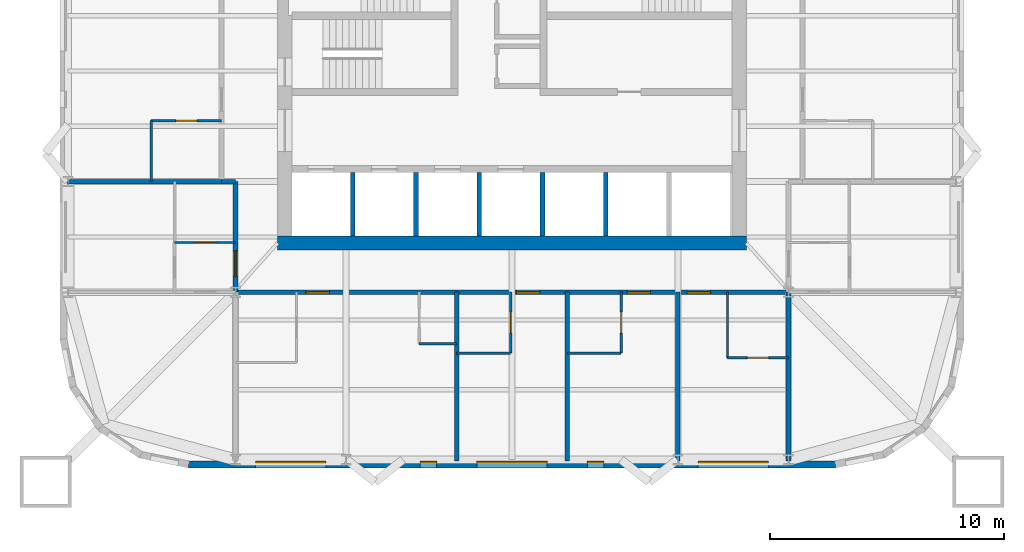
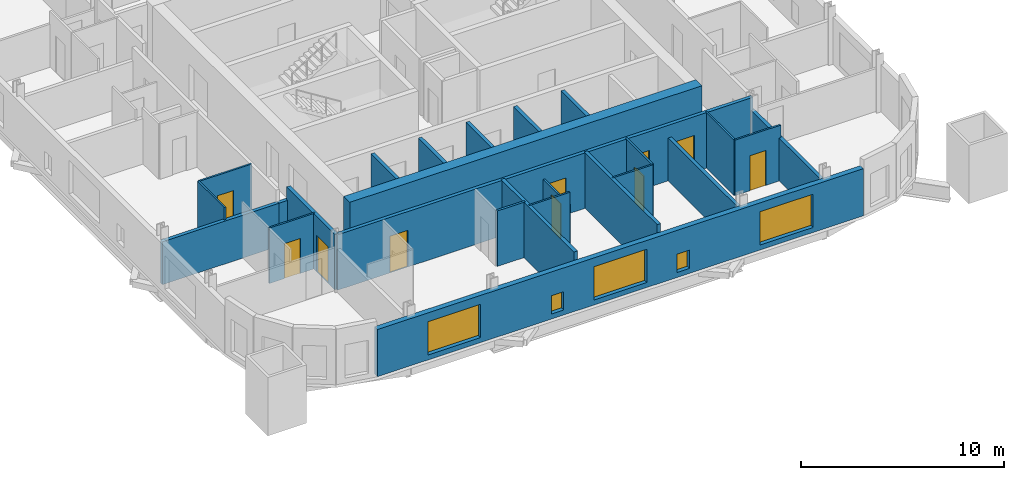
# One storey, part 3 of 9: 25 walls, 10 doors, 5 windows, 15 openings.
"""IFC4 building model written with IfcOpenShell, lengths in metres."""

from ifc_helpers import new_model, si_unit, direction, frame, frame_2d, origin, place, context, subcontext, project, spatial, rectangle, extrude, material, layer, layer_set, type_object, element, fill, save


model = new_model("IFC4")

# Units and contexts
model_context = context("Model", 3, precision=1e-05, world=origin(), true_north=direction((0.0, 1.0)))
body_context = subcontext(model_context, "Body", "Model", "MODEL_VIEW")
ifc_project = project(units=[si_unit("LENGTHUNIT", "METRE"), si_unit("AREAUNIT", "SQUARE_METRE"), si_unit("VOLUMEUNIT", "CUBIC_METRE"), si_unit("PLANEANGLEUNIT", "RADIAN"), si_unit("MASSUNIT", "GRAM", prefix="KILO")], contexts=[model_context])

# Site, building, storey
site_placement = place(None, origin())
site = spatial("IfcSite", under=ifc_project, at=site_placement, CompositionType="ELEMENT")
building_placement = place(site_placement, origin())
building = spatial("IfcBuilding", under=site, at=building_placement, Name="Turquesa Mirador Hotel Tower", CompositionType="ELEMENT")
storey_placement = place(building_placement, frame((0.0, 0.0, 182.800048828125)))
storey = spatial("IfcBuildingStorey", under=building, at=storey_placement, Name="L49", CompositionType="ELEMENT", Elevation=182.800048828125)

# Walls
ifc_material_1 = material(Name="Gypsum board on steel studs", Category="steel")
ifc_layer_1 = layer(ifc_material_1, 0.10009765625)
ifc_layer_set_1 = layer_set([ifc_layer_1], Name="BATHROOM WALL 100")
wall_type_1 = type_object("IfcWallType", Name="BATHROOM WALL 100", PredefinedType="PARTITIONING", material=ifc_layer_set_1)
wall_1_placement = place(storey_placement, frame((52.639892578125, 30.60009765625, 0.0), z_axis=(0.0, 0.0, 1.0), x_axis=(1.0, 0.0, 0.0)))
element("IfcWall", 1, at=wall_1_placement, inside=storey, type_object=wall_type_1, Name="Partition L49 005", PredefinedType="PARTITIONING", context=body_context, shape_type="SweptSolid", body=[
    extrude(rectangle(XDim=2.300048828125, YDim=0.10009765625, at=frame_2d((1.14990234375, 0.0))), origin(), (0.0, 0.0, 1.0), 3.329833984375),
])
wall_2_placement = place(storey_placement, frame((57.360107421875, 30.60009765625, 0.0), z_axis=(0.0, 0.0, 1.0), x_axis=(1.0, 0.0, 0.0)))
element("IfcWall", 2, at=wall_2_placement, inside=storey, type_object=wall_type_1, Name="Partition L49 006", PredefinedType="PARTITIONING", context=body_context, shape_type="SweptSolid", body=[
    extrude(rectangle(XDim=2.2998046875, YDim=0.10009765625, at=frame_2d((1.14990234375, 0.0))), origin(), (0.0, 0.0, 1.0), 3.329833984375),
])

# Wall, opening, door
wall_3_placement = place(storey_placement, frame((64.199951171875, 30.39990234375, 0.0), z_axis=(0.0, 0.0, 1.0), x_axis=(1.0, 0.0, 0.0)))
wall_3 = element("IfcWall", 3, at=wall_3_placement, inside=storey, type_object=wall_type_1, Name="Partition L49 007", PredefinedType="PARTITIONING", context=body_context, shape_type="SweptSolid", body=[
    extrude(rectangle(XDim=2.60009765625, YDim=0.10009765625, at=frame_2d((1.300048828125, 0.0))), origin(), (0.0, 0.0, 1.0), 3.329833984375),
])
opening_1_placement = place(wall_3_placement, frame((0.85009765625, 0.0, 0.0)))
opening_1 = element("IfcOpeningElement", 4, at=opening_1_placement, cuts=wall_3, Name="Opening D02", PredefinedType="OPENING", context=body_context, shape_type="SweptSolid", body=[
    extrude(rectangle(XDim=0.89990234375, YDim=2.10009765625, at=frame_2d((0.449951171875, 1.050048828125))), frame((0.0, 0.06005859375, 0.0), z_axis=(0.0, -1.0, 0.0), x_axis=(1.0, 0.0, 0.0)), (0.0, 0.0, 1.0), 0.1201171875),
])
ifc_material_2 = material(Name="Timber veneered door", Category="wood")
door_type_1 = type_object("IfcDoorType", Name="DOOR 900X2100 EN-SUITE", OperationType="SINGLE_SWING_RIGHT", PredefinedType="DOOR", material=ifc_material_2)
door_1_placement = place(opening_1_placement, origin())
door_1 = element("IfcDoor", 5, at=door_1_placement, inside=storey, type_object=door_type_1, Name="Door 4909B", OperationType="SINGLE_SWING_RIGHT", OverallHeight=2.10009765625, OverallWidth=0.89990234375, PredefinedType="DOOR", context=body_context, shape_type="SweptSolid", body=[
    extrude(rectangle(XDim=0.89990234375, YDim=2.10009765625, at=frame_2d((0.449951171875, 1.050048828125))), frame((0.0, 0.02490234375, 0.0), z_axis=(0.0, -1.0, 0.0), x_axis=(1.0, 0.0, 0.0)), (0.0, 0.0, 1.0), 0.050048828125),
])
fill(opening_1, door_1)

wall_4_placement = place(storey_placement, frame((39.60009765625, 40.52001953125, 0.0), z_axis=(0.0, 0.0, 1.0), x_axis=(1.0, 0.0, 0.0)))
wall_4 = element("IfcWall", 6, at=wall_4_placement, inside=storey, type_object=wall_type_1, Name="Partition L49 009", PredefinedType="PARTITIONING", context=body_context, shape_type="SweptSolid", body=[
    extrude(rectangle(XDim=3.0, YDim=0.10009765625, at=frame_2d((1.5, 0.0))), origin(), (0.0, 0.0, 1.0), 3.329833984375),
])
opening_2_placement = place(wall_4_placement, frame((1.050048828125, 0.0, 0.0)))
opening_2 = element("IfcOpeningElement", 7, at=opening_2_placement, cuts=wall_4, Name="Opening D02", PredefinedType="OPENING", context=body_context, shape_type="SweptSolid", body=[
    extrude(rectangle(XDim=0.89990234375, YDim=2.10009765625, at=frame_2d((0.449951171875, 1.050048828125))), frame((0.0, 0.06005859375, 0.0), z_axis=(0.0, -1.0, 0.0), x_axis=(1.0, 0.0, 0.0)), (0.0, 0.0, 1.0), 0.1201171875),
])
door_2_placement = place(opening_2_placement, origin())
door_2 = element("IfcDoor", 8, at=door_2_placement, inside=storey, type_object=door_type_1, Name="Door 4912B", OperationType="SINGLE_SWING_RIGHT", OverallHeight=2.10009765625, OverallWidth=0.89990234375, PredefinedType="DOOR", context=body_context, shape_type="SweptSolid", body=[
    extrude(rectangle(XDim=0.89990234375, YDim=2.10009765625, at=frame_2d((0.449951171875, 1.050048828125))), frame((0.0, 0.02490234375, 0.0), z_axis=(0.0, -1.0, 0.0), x_axis=(1.0, 0.0, 0.0)), (0.0, 0.0, 1.0), 0.050048828125),
])
fill(opening_2, door_2)

wall_5_placement = place(storey_placement, frame((40.60009765625, 35.320068359375, 0.0), z_axis=(0.0, 0.0, 1.0), x_axis=(1.0, 0.0, 0.0)))
wall_5 = element("IfcWall", 9, at=wall_5_placement, inside=storey, type_object=wall_type_1, Name="Partition L49 015", PredefinedType="PARTITIONING", context=body_context, shape_type="SweptSolid", body=[
    extrude(rectangle(XDim=2.599853515625, YDim=0.10009765625, at=frame_2d((1.2998046875, 0.0))), origin(), (0.0, 0.0, 1.0), 3.329833984375),
])
opening_3_placement = place(wall_5_placement, frame((0.85009765625, 0.0, 0.0)))
opening_3 = element("IfcOpeningElement", 10, at=opening_3_placement, cuts=wall_5, Name="Opening D02", PredefinedType="OPENING", context=body_context, shape_type="SweptSolid", body=[
    extrude(rectangle(XDim=0.89990234375, YDim=2.10009765625, at=frame_2d((0.449951171875, 1.050048828125))), frame((0.0, 0.06005859375, 0.0), z_axis=(0.0, -1.0, 0.0), x_axis=(1.0, 0.0, 0.0)), (0.0, 0.0, 1.0), 0.1201171875),
])
door_3_placement = place(opening_3_placement, origin())
door_3 = element("IfcDoor", 11, at=door_3_placement, inside=storey, type_object=door_type_1, Name="Door 4916B", OperationType="SINGLE_SWING_RIGHT", OverallHeight=2.10009765625, OverallWidth=0.89990234375, PredefinedType="DOOR", context=body_context, shape_type="SweptSolid", body=[
    extrude(rectangle(XDim=0.89990234375, YDim=2.10009765625, at=frame_2d((0.449951171875, 1.050048828125))), frame((0.0, 0.02490234375, 0.0), z_axis=(0.0, -1.0, 0.0), x_axis=(1.0, 0.0, 0.0)), (0.0, 0.0, 1.0), 0.050048828125),
])
fill(opening_3, door_3)

wall_6_placement = place(storey_placement, frame((54.93994140625, 30.60009765625, 0.0), z_axis=(0.0, 0.0, 1.0), x_axis=(0.0, 1.0, 0.0)))
wall_6 = element("IfcWall", 12, at=wall_6_placement, inside=storey, type_object=wall_type_1, Name="Partition L49 041", PredefinedType="PARTITIONING", context=body_context, shape_type="SweptSolid", body=[
    extrude(rectangle(XDim=2.599853515625, YDim=0.10009765625, at=frame_2d((1.2998046875, 0.0))), origin(), (0.0, 0.0, 1.0), 2.572998046875),
])
opening_4_placement = place(wall_6_placement, frame((0.85009765625, 0.0, 0.0)))
opening_4 = element("IfcOpeningElement", 13, at=opening_4_placement, cuts=wall_6, Name="Opening D02", PredefinedType="OPENING", context=body_context, shape_type="SweptSolid", body=[
    extrude(rectangle(XDim=0.89990234375, YDim=2.10009765625, at=frame_2d((0.449951171875, 1.050048828125))), frame((0.0, 0.06005859375, 0.0), z_axis=(0.0, -1.0, 0.0), x_axis=(1.0, 0.0, 0.0)), (0.0, 0.0, 1.0), 0.1201171875),
])
door_4_placement = place(opening_4_placement, origin())
door_4 = element("IfcDoor", 14, at=door_4_placement, inside=storey, type_object=door_type_1, Name="Door 4907B", OperationType="SINGLE_SWING_RIGHT", OverallHeight=2.10009765625, OverallWidth=0.89990234375, PredefinedType="DOOR", context=body_context, shape_type="SweptSolid", body=[
    extrude(rectangle(XDim=0.89990234375, YDim=2.10009765625, at=frame_2d((0.449951171875, 1.050048828125))), frame((0.0, 0.02490234375, 0.0), z_axis=(0.0, -1.0, 0.0), x_axis=(1.0, 0.0, 0.0)), (0.0, 0.0, 1.0), 0.050048828125),
])
fill(opening_4, door_4)

# Wall
wall_7_placement = place(storey_placement, frame((39.60009765625, 37.919921875, 0.0), z_axis=(0.0, 0.0, 1.0), x_axis=(0.0, 1.0, 0.0)))
element("IfcWall", 15, at=wall_7_placement, inside=storey, type_object=wall_type_1, Name="Partition L49 055", PredefinedType="PARTITIONING", context=body_context, shape_type="SweptSolid", body=[
    extrude(rectangle(XDim=2.60009765625, YDim=0.10009765625, at=frame_2d((1.300048828125, 0.0))), origin(), (0.0, 0.0, 1.0), 3.329833984375),
])

# Wall, opening, door
wall_8_placement = place(storey_placement, frame((59.659912109375, 30.60009765625, 0.0), z_axis=(0.0, 0.0, 1.0), x_axis=(0.0, 1.0, 0.0)))
wall_8 = element("IfcWall", 16, at=wall_8_placement, inside=storey, type_object=wall_type_1, Name="Partition L49 078", PredefinedType="PARTITIONING", context=body_context, shape_type="SweptSolid", body=[
    extrude(rectangle(XDim=2.599853515625, YDim=0.10009765625, at=frame_2d((1.2998046875, 0.0))), origin(), (0.0, 0.0, 1.0), 3.329833984375),
])
opening_5_placement = place(wall_8_placement, frame((0.85009765625, 0.0, 0.0)))
opening_5 = element("IfcOpeningElement", 17, at=opening_5_placement, cuts=wall_8, Name="Opening D02", PredefinedType="OPENING", context=body_context, shape_type="SweptSolid", body=[
    extrude(rectangle(XDim=0.89990234375, YDim=2.10009765625, at=frame_2d((0.449951171875, 1.050048828125))), frame((0.0, 0.06005859375, 0.0), z_axis=(0.0, -1.0, 0.0), x_axis=(1.0, 0.0, 0.0)), (0.0, 0.0, 1.0), 0.1201171875),
])
door_5_placement = place(opening_5_placement, origin())
door_5 = element("IfcDoor", 18, at=door_5_placement, inside=storey, type_object=door_type_1, Name="Door 4908B", OperationType="SINGLE_SWING_RIGHT", OverallHeight=2.10009765625, OverallWidth=0.89990234375, PredefinedType="DOOR", context=body_context, shape_type="SweptSolid", body=[
    extrude(rectangle(XDim=0.89990234375, YDim=2.10009765625, at=frame_2d((0.449951171875, 1.050048828125))), frame((0.0, 0.02490234375, 0.0), z_axis=(0.0, -1.0, 0.0), x_axis=(1.0, 0.0, 0.0)), (0.0, 0.0, 1.0), 0.050048828125),
])
fill(opening_5, door_5)

# Walls
wall_9_placement = place(storey_placement, frame((64.199951171875, 30.39990234375, 0.0), z_axis=(0.0, 0.0, 1.0), x_axis=(0.0, 1.0, 0.0)))
element("IfcWall", 19, at=wall_9_placement, inside=storey, type_object=wall_type_1, Name="Partition L49 083", PredefinedType="PARTITIONING", context=body_context, shape_type="SweptSolid", body=[
    extrude(rectangle(XDim=2.800048828125, YDim=0.10009765625, at=frame_2d((1.39990234375, 0.0))), origin(), (0.0, 0.0, 1.0), 3.329833984375),
])
ifc_material_3 = material(Name="Concrete C50/60", Category="concrete")
ifc_layer_2 = layer(ifc_material_3, 0.60009765625)
ifc_layer_set_2 = layer_set([ifc_layer_2], Name="CORE WALL 600")
wall_type_2 = type_object("IfcWallType", Name="CORE WALL 600", PredefinedType="SHEAR", material=ifc_layer_set_2)
wall_10_placement = place(storey_placement, frame((45.0, 35.300048828125, 0.0), z_axis=(0.0, 0.0, 1.0), x_axis=(1.0, 0.0, 0.0)))
element("IfcWall", 20, at=wall_10_placement, inside=storey, type_object=wall_type_2, Name="Core wall S", PredefinedType="SHEAR", context=body_context, shape_type="SweptSolid", body=[
    extrude(rectangle(XDim=20.0, YDim=0.60009765625, at=frame_2d((10.0, 0.0))), origin(), (0.0, 0.0, 1.0), 3.5),
])

# Wall, openings, doors
ifc_material_4 = material(Name="Fire-rated gypsum board on steel studs", Category="steel")
ifc_layer_3 = layer(ifc_material_4, 0.199951171875)
ifc_layer_set_3 = layer_set([ifc_layer_3], Name="CORRIDOR WALL 200")
wall_type_3 = type_object("IfcWallType", Name="CORRIDOR WALL 200", PredefinedType="PARTITIONING", material=ifc_layer_set_3)
wall_11_placement = place(storey_placement, frame((43.199951171875, 33.199951171875, 0.0), z_axis=(0.0, 0.0, 1.0), x_axis=(1.0, 0.0, 0.0)))
wall_11 = element("IfcWall", 21, at=wall_11_placement, inside=storey, type_object=wall_type_3, Name="Partition L49 001", PredefinedType="PARTITIONING", context=body_context, shape_type="SweptSolid", body=[
    extrude(rectangle(XDim=23.60009765625, YDim=0.199951171875, at=frame_2d((11.800048828125, 0.0))), origin(), (0.0, 0.0, 1.0), 3.329833984375),
])
opening_6_placement = place(wall_11_placement, frame((3.0, 0.0, 0.0)))
opening_6 = element("IfcOpeningElement", 22, at=opening_6_placement, cuts=wall_11, Name="Opening D01", PredefinedType="OPENING", context=body_context, shape_type="SweptSolid", body=[
    extrude(rectangle(XDim=1.0, YDim=2.199951171875, at=frame_2d((0.5, 1.10009765625))), frame((0.0, 0.10986328125, 0.0), z_axis=(0.0, -1.0, 0.0), x_axis=(1.0, 0.0, 0.0)), (0.0, 0.0, 1.0), 0.219970703125),
])
opening_7_placement = place(wall_11_placement, frame((11.989990234375, 0.0, 0.0)))
opening_7 = element("IfcOpeningElement", 23, at=opening_7_placement, cuts=wall_11, Name="Opening D01", PredefinedType="OPENING", context=body_context, shape_type="SweptSolid", body=[
    extrude(rectangle(XDim=1.0, YDim=2.199951171875, at=frame_2d((0.5, 1.10009765625))), frame((0.0, 0.10986328125, 0.0), z_axis=(0.0, -1.0, 0.0), x_axis=(1.0, 0.0, 0.0)), (0.0, 0.0, 1.0), 0.219970703125),
])
opening_8_placement = place(wall_11_placement, frame((16.7099609375, 0.0, 0.0)))
opening_8 = element("IfcOpeningElement", 24, at=opening_8_placement, cuts=wall_11, Name="Opening D01", PredefinedType="OPENING", context=body_context, shape_type="SweptSolid", body=[
    extrude(rectangle(XDim=1.0, YDim=2.199951171875, at=frame_2d((0.5, 1.10009765625))), frame((0.0, 0.10986328125, 0.0), z_axis=(0.0, -1.0, 0.0), x_axis=(1.0, 0.0, 0.0)), (0.0, 0.0, 1.0), 0.219970703125),
])
opening_9_placement = place(wall_11_placement, frame((19.280029296875, 0.0, 0.0)))
opening_9 = element("IfcOpeningElement", 25, at=opening_9_placement, cuts=wall_11, Name="Opening D01", PredefinedType="OPENING", context=body_context, shape_type="SweptSolid", body=[
    extrude(rectangle(XDim=1.0, YDim=2.199951171875, at=frame_2d((0.5, 1.10009765625))), frame((0.0, 0.10986328125, 0.0), z_axis=(0.0, -1.0, 0.0), x_axis=(1.0, 0.0, 0.0)), (0.0, 0.0, 1.0), 0.219970703125),
])
ifc_material_5 = material(Name="Timber veneered fire door", Category="wood")
door_type_2 = type_object("IfcDoorType", Name="DOOR 1000X2200 GUEST ENTRY", OperationType="SINGLE_SWING_LEFT", PredefinedType="DOOR", material=ifc_material_5)
door_6_placement = place(opening_6_placement, origin())
door_6 = element("IfcDoor", 26, at=door_6_placement, inside=storey, type_object=door_type_2, Name="Door 4906", OperationType="SINGLE_SWING_LEFT", OverallHeight=2.199951171875, OverallWidth=1.0, PredefinedType="DOOR", context=body_context, shape_type="SweptSolid", body=[
    extrude(rectangle(XDim=1.0, YDim=2.199951171875, at=frame_2d((0.5, 1.10009765625))), frame((0.0, 0.02490234375, 0.0), z_axis=(0.0, -1.0, 0.0), x_axis=(1.0, 0.0, 0.0)), (0.0, 0.0, 1.0), 0.050048828125),
])
fill(opening_6, door_6)
door_7_placement = place(opening_7_placement, origin())
door_7 = element("IfcDoor", 27, at=door_7_placement, inside=storey, type_object=door_type_2, Name="Door 4907", OperationType="SINGLE_SWING_LEFT", OverallHeight=2.199951171875, OverallWidth=1.0, PredefinedType="DOOR", context=body_context, shape_type="SweptSolid", body=[
    extrude(rectangle(XDim=1.0, YDim=2.199951171875, at=frame_2d((0.5, 1.10009765625))), frame((0.0, 0.02490234375, 0.0), z_axis=(0.0, -1.0, 0.0), x_axis=(1.0, 0.0, 0.0)), (0.0, 0.0, 1.0), 0.050048828125),
])
fill(opening_7, door_7)
door_8_placement = place(opening_8_placement, origin())
door_8 = element("IfcDoor", 28, at=door_8_placement, inside=storey, type_object=door_type_2, Name="Door 4908", OperationType="SINGLE_SWING_LEFT", OverallHeight=2.199951171875, OverallWidth=1.0, PredefinedType="DOOR", context=body_context, shape_type="SweptSolid", body=[
    extrude(rectangle(XDim=1.0, YDim=2.199951171875, at=frame_2d((0.5, 1.10009765625))), frame((0.0, 0.02490234375, 0.0), z_axis=(0.0, -1.0, 0.0), x_axis=(1.0, 0.0, 0.0)), (0.0, 0.0, 1.0), 0.050048828125),
])
fill(opening_8, door_8)
door_9_placement = place(opening_9_placement, origin())
door_9 = element("IfcDoor", 29, at=door_9_placement, inside=storey, type_object=door_type_2, Name="Door 4909", OperationType="SINGLE_SWING_LEFT", OverallHeight=2.199951171875, OverallWidth=1.0, PredefinedType="DOOR", context=body_context, shape_type="SweptSolid", body=[
    extrude(rectangle(XDim=1.0, YDim=2.199951171875, at=frame_2d((0.5, 1.10009765625))), frame((0.0, 0.02490234375, 0.0), z_axis=(0.0, -1.0, 0.0), x_axis=(1.0, 0.0, 0.0)), (0.0, 0.0, 1.0), 0.050048828125),
])
fill(opening_9, door_9)

# Wall
wall_12_placement = place(storey_placement, frame((42.60009765625, 37.919921875, 0.0), z_axis=(0.0, 0.0, 1.0), x_axis=(1.0, 0.0, 0.0)))
element("IfcWall", 30, at=wall_12_placement, inside=storey, type_object=wall_type_3, Name="Partition L49 011", PredefinedType="PARTITIONING", context=body_context, shape_type="SweptSolid", body=[
    extrude(rectangle(XDim=0.599853515625, YDim=0.199951171875, at=frame_2d((0.2998046875, 0.0))), origin(), (0.0, 0.0, 1.0), 2.572998046875),
])

# Wall, opening, door
wall_13_placement = place(storey_placement, frame((43.199951171875, 33.199951171875, 0.0), z_axis=(0.0, 0.0, 1.0), x_axis=(0.0, 1.0, 0.0)))
wall_13 = element("IfcWall", 31, at=wall_13_placement, inside=storey, type_object=wall_type_3, Name="Partition L49 044", PredefinedType="PARTITIONING", context=body_context, shape_type="SweptSolid", body=[
    extrude(rectangle(XDim=4.719970703125, YDim=0.199951171875, at=frame_2d((2.35986328125, 0.0))), origin(), (0.0, 0.0, 1.0), 3.329833984375),
])
opening_10_placement = place(wall_13_placement, frame((0.659912109375, 0.0, 0.0)))
opening_10 = element("IfcOpeningElement", 32, at=opening_10_placement, cuts=wall_13, Name="Opening D15", PredefinedType="OPENING", context=body_context, shape_type="SweptSolid", body=[
    extrude(rectangle(XDim=1.10009765625, YDim=2.199951171875, at=frame_2d((0.550048828125, 1.10009765625))), frame((0.0, 0.10986328125, 0.0), z_axis=(0.0, -1.0, 0.0), x_axis=(1.0, 0.0, 0.0)), (0.0, 0.0, 1.0), 0.219970703125),
])
ifc_material_6 = material(Name="Timber veneered fire door", Category="wood")
door_type_3 = type_object("IfcDoorType", Name="DOOR 1100X2200 SUITE ENTRY", OperationType="SINGLE_SWING_LEFT", PredefinedType="DOOR", material=ifc_material_6)
door_10_placement = place(opening_10_placement, origin())
door_10 = element("IfcDoor", 33, at=door_10_placement, inside=storey, type_object=door_type_3, Name="Door 4916H", OperationType="SINGLE_SWING_LEFT", OverallHeight=2.199951171875, OverallWidth=1.10009765625, PredefinedType="DOOR", context=body_context, shape_type="SweptSolid", body=[
    extrude(rectangle(XDim=1.10009765625, YDim=2.199951171875, at=frame_2d((0.550048828125, 1.10009765625))), frame((0.0, 0.02490234375, 0.0), z_axis=(0.0, -1.0, 0.0), x_axis=(1.0, 0.0, 0.0)), (0.0, 0.0, 1.0), 0.050048828125),
])
fill(opening_10, door_10)

# Wall, openings, windows
ifc_material_7 = material(Name="Limestone cladding on concrete block", Category="masonry")
ifc_layer_4 = layer(ifc_material_7, 0.300048828125)
ifc_layer_set_4 = layer_set([ifc_layer_4], Name="FACADE WALL 300 STONE SCREEN")
wall_type_4 = type_object("IfcWallType", Name="FACADE WALL 300 STONE SCREEN", PredefinedType="SOLIDWALL", material=ifc_layer_set_4)
wall_14_placement = place(storey_placement, frame((41.199951171875, 25.85009765625, 0.0), z_axis=(0.0, 0.0, 1.0), x_axis=(1.0, 0.0, 0.0)))
wall_14 = element("IfcWall", 34, at=wall_14_placement, inside=storey, type_object=wall_type_4, Name="Facade wall L49 19", PredefinedType="SOLIDWALL", context=body_context, shape_type="SweptSolid", body=[
    extrude(rectangle(XDim=27.60009765625, YDim=0.300048828125, at=frame_2d((13.800048828125, 0.0))), origin(), (0.0, 0.0, 1.0), 2.829833984375),
])
opening_11_placement = place(wall_14_placement, frame((2.860107421875, 0.0, 0.300048828125)))
opening_11 = element("IfcOpeningElement", 35, at=opening_11_placement, cuts=wall_14, Name="Opening WN1", PredefinedType="OPENING", context=body_context, shape_type="SweptSolid", body=[
    extrude(rectangle(XDim=3.0, YDim=2.0, at=frame_2d((1.5, 1.0))), frame((0.0, 0.159912109375, 0.0), z_axis=(0.0, -1.0, 0.0), x_axis=(1.0, 0.0, 0.0)), (0.0, 0.0, 1.0), 0.320068359375),
])
opening_12_placement = place(wall_14_placement, frame((9.8798828125, 0.0, 0.300048828125)))
opening_12 = element("IfcOpeningElement", 36, at=opening_12_placement, cuts=wall_14, Name="Opening WN33", PredefinedType="OPENING", context=body_context, shape_type="SweptSolid", body=[
    extrude(rectangle(XDim=0.699951171875, YDim=1.10009765625, at=frame_2d((0.35009765625, 0.550048828125))), frame((0.0, 0.159912109375, 0.0), z_axis=(0.0, -1.0, 0.0), x_axis=(1.0, 0.0, 0.0)), (0.0, 0.0, 1.0), 0.320068359375),
])
opening_13_placement = place(wall_14_placement, frame((12.300048828125, 0.0, 0.300048828125)))
opening_13 = element("IfcOpeningElement", 37, at=opening_13_placement, cuts=wall_14, Name="Opening WN1", PredefinedType="OPENING", context=body_context, shape_type="SweptSolid", body=[
    extrude(rectangle(XDim=3.0, YDim=2.0, at=frame_2d((1.5, 1.0))), frame((0.0, 0.159912109375, 0.0), z_axis=(0.0, -1.0, 0.0), x_axis=(1.0, 0.0, 0.0)), (0.0, 0.0, 1.0), 0.320068359375),
])
opening_14_placement = place(wall_14_placement, frame((17.02001953125, 0.0, 0.300048828125)))
opening_14 = element("IfcOpeningElement", 38, at=opening_14_placement, cuts=wall_14, Name="Opening WN33", PredefinedType="OPENING", context=body_context, shape_type="SweptSolid", body=[
    extrude(rectangle(XDim=0.699951171875, YDim=1.10009765625, at=frame_2d((0.35009765625, 0.550048828125))), frame((0.0, 0.159912109375, 0.0), z_axis=(0.0, -1.0, 0.0), x_axis=(1.0, 0.0, 0.0)), (0.0, 0.0, 1.0), 0.320068359375),
])
opening_15_placement = place(wall_14_placement, frame((21.739990234375, 0.0, 0.300048828125)))
opening_15 = element("IfcOpeningElement", 39, at=opening_15_placement, cuts=wall_14, Name="Opening WN1", PredefinedType="OPENING", context=body_context, shape_type="SweptSolid", body=[
    extrude(rectangle(XDim=3.0, YDim=2.0, at=frame_2d((1.5, 1.0))), frame((0.0, 0.159912109375, 0.0), z_axis=(0.0, -1.0, 0.0), x_axis=(1.0, 0.0, 0.0)), (0.0, 0.0, 1.0), 0.320068359375),
])
ifc_material_8 = material(Name="Ceramic-fritted laminated glass", Category="glass")
window_type_1 = type_object("IfcWindowType", Name="FRITTED WINDOW 3000X2000", PartitioningType="DOUBLE_PANEL_HORIZONTAL", PredefinedType="WINDOW", material=ifc_material_8)
window_1_placement = place(opening_11_placement, origin())
window_1 = element("IfcWindow", 40, at=window_1_placement, inside=storey, type_object=window_type_1, Name="Window L49", OverallHeight=2.0, OverallWidth=3.0, PartitioningType="SINGLE_PANEL", PredefinedType="WINDOW", context=body_context, shape_type="SweptSolid", body=[
    extrude(rectangle(XDim=3.0, YDim=2.0, at=frame_2d((1.5, 1.0))), frame((0.0, 0.130126953125, 0.0), z_axis=(0.0, -1.0, 0.0), x_axis=(1.0, 0.0, 0.0)), (0.0, 0.0, 1.0), 0.06005859375),
])
fill(opening_11, window_1)
window_2_placement = place(opening_13_placement, origin())
window_2 = element("IfcWindow", 41, at=window_2_placement, inside=storey, type_object=window_type_1, Name="Window L49", OverallHeight=2.0, OverallWidth=3.0, PartitioningType="SINGLE_PANEL", PredefinedType="WINDOW", context=body_context, shape_type="SweptSolid", body=[
    extrude(rectangle(XDim=3.0, YDim=2.0, at=frame_2d((1.5, 1.0))), frame((0.0, 0.130126953125, 0.0), z_axis=(0.0, -1.0, 0.0), x_axis=(1.0, 0.0, 0.0)), (0.0, 0.0, 1.0), 0.06005859375),
])
fill(opening_13, window_2)
window_3_placement = place(opening_15_placement, origin())
window_3 = element("IfcWindow", 42, at=window_3_placement, inside=storey, type_object=window_type_1, Name="Window L49", OverallHeight=2.0, OverallWidth=3.0, PartitioningType="SINGLE_PANEL", PredefinedType="WINDOW", context=body_context, shape_type="SweptSolid", body=[
    extrude(rectangle(XDim=3.0, YDim=2.0, at=frame_2d((1.5, 1.0))), frame((0.0, 0.130126953125, 0.0), z_axis=(0.0, -1.0, 0.0), x_axis=(1.0, 0.0, 0.0)), (0.0, 0.0, 1.0), 0.06005859375),
])
fill(opening_15, window_3)
ifc_material_9 = material(Name="Ceramic-fritted laminated glass", Category="glass")
window_type_2 = type_object("IfcWindowType", Name="FRITTED WINDOW 700X1100", PartitioningType="DOUBLE_PANEL_HORIZONTAL", PredefinedType="WINDOW", material=ifc_material_9)
window_4_placement = place(opening_12_placement, origin())
window_4 = element("IfcWindow", 43, at=window_4_placement, inside=storey, type_object=window_type_2, Name="Window L49", OverallHeight=1.10009765625, OverallWidth=0.699951171875, PartitioningType="SINGLE_PANEL", PredefinedType="WINDOW", context=body_context, shape_type="SweptSolid", body=[
    extrude(rectangle(XDim=0.699951171875, YDim=1.10009765625, at=frame_2d((0.35009765625, 0.550048828125))), frame((0.0, 0.130126953125, 0.0), z_axis=(0.0, -1.0, 0.0), x_axis=(1.0, 0.0, 0.0)), (0.0, 0.0, 1.0), 0.06005859375),
])
fill(opening_12, window_4)
window_5_placement = place(opening_14_placement, origin())
window_5 = element("IfcWindow", 44, at=window_5_placement, inside=storey, type_object=window_type_2, Name="Window L49", OverallHeight=1.10009765625, OverallWidth=0.699951171875, PartitioningType="SINGLE_PANEL", PredefinedType="WINDOW", context=body_context, shape_type="SweptSolid", body=[
    extrude(rectangle(XDim=0.699951171875, YDim=1.10009765625, at=frame_2d((0.35009765625, 0.550048828125))), frame((0.0, 0.130126953125, 0.0), z_axis=(0.0, -1.0, 0.0), x_axis=(1.0, 0.0, 0.0)), (0.0, 0.0, 1.0), 0.06005859375),
])
fill(opening_14, window_5)

# Walls
ifc_material_10 = material(Name="Fire-rated gypsum shaft wall on steel studs", Category="steel")
ifc_layer_5 = layer(ifc_material_10, 0.199951171875)
ifc_layer_set_5 = layer_set([ifc_layer_5], Name="LIFT SHAFT DIVIDER 200")
wall_type_5 = type_object("IfcWallType", Name="LIFT SHAFT DIVIDER 200", PredefinedType="PARTITIONING", material=ifc_layer_set_5)
for number, where, z_axis, x_axis, name in (
    (45, (48.199951171875, 35.60009765625, 0.0), (0.0, 0.0, 1.0), (0.0, 1.0, 0.0), "Lift shaft divider"),
    (46, (50.89990234375, 35.60009765625, 0.0), (0.0, 0.0, 1.0), (0.0, 1.0, 0.0), "Lift shaft divider"),
    (47, (53.60009765625, 35.60009765625, 0.0), (0.0, 0.0, 1.0), (0.0, 1.0, 0.0), "Lift shaft divider"),
    (48, (56.300048828125, 35.60009765625, 0.0), (0.0, 0.0, 1.0), (0.0, 1.0, 0.0), "Lift shaft divider"),
    (49, (59.0, 35.60009765625, 0.0), (0.0, 0.0, 1.0), (0.0, 1.0, 0.0), "Lift shaft divider"),
):
    element("IfcWall", number, at=place(storey_placement, frame(where, z_axis=z_axis, x_axis=x_axis)), inside=storey, type_object=wall_type_5, Name=name, PredefinedType="PARTITIONING", context=body_context, shape_type="SweptSolid", body=[
        extrude(rectangle(XDim=2.699951171875, YDim=0.199951171875, at=frame_2d((1.35009765625, 0.0))), origin(), (0.0, 0.0, 1.0), 3.329833984375),
    ])
ifc_material_11 = material(Name="Fire-rated gypsum board on steel studs", Category="steel")
ifc_layer_6 = layer(ifc_material_11, 0.199951171875)
ifc_layer_set_6 = layer_set([ifc_layer_6], Name="PARTY WALL 200")
wall_type_6 = type_object("IfcWallType", Name="PARTY WALL 200", PredefinedType="PARTITIONING", material=ifc_layer_set_6)
wall_15_placement = place(storey_placement, frame((36.0, 37.919921875, 0.0), z_axis=(0.0, 0.0, 1.0), x_axis=(1.0, 0.0, 0.0)))
element("IfcWall", 50, at=wall_15_placement, inside=storey, type_object=wall_type_6, Name="Partition L49 013", PredefinedType="PARTITIONING", context=body_context, shape_type="SweptSolid", body=[
    extrude(rectangle(XDim=6.60009765625, YDim=0.199951171875, at=frame_2d((3.300048828125, 0.0))), origin(), (0.0, 0.0, 1.0), 2.572998046875),
])
wall_16_placement = place(storey_placement, frame((52.639892578125, 26.0, 0.0), z_axis=(0.0, 0.0, 1.0), x_axis=(0.0, 1.0, 0.0)))
element("IfcWall", 51, at=wall_16_placement, inside=storey, type_object=wall_type_6, Name="Partition L49 056", PredefinedType="PARTITIONING", context=body_context, shape_type="SweptSolid", body=[
    extrude(rectangle(XDim=7.199951171875, YDim=0.199951171875, at=frame_2d((3.60009765625, 0.0))), origin(), (0.0, 0.0, 1.0), 3.329833984375),
])
wall_17_placement = place(storey_placement, frame((66.800048828125, 26.0, 0.0), z_axis=(0.0, 0.0, 1.0), x_axis=(0.0, 1.0, 0.0)))
element("IfcWall", 52, at=wall_17_placement, inside=storey, type_object=wall_type_6, Name="Partition L49 065", PredefinedType="PARTITIONING", context=body_context, shape_type="SweptSolid", body=[
    extrude(rectangle(XDim=7.199951171875, YDim=0.199951171875, at=frame_2d((3.60009765625, 0.0))), origin(), (0.0, 0.0, 1.0), 2.572998046875),
])
wall_18_placement = place(storey_placement, frame((57.360107421875, 26.0, 0.0), z_axis=(0.0, 0.0, 1.0), x_axis=(0.0, 1.0, 0.0)))
element("IfcWall", 53, at=wall_18_placement, inside=storey, type_object=wall_type_6, Name="Partition L49 075", PredefinedType="PARTITIONING", context=body_context, shape_type="SweptSolid", body=[
    extrude(rectangle(XDim=7.199951171875, YDim=0.199951171875, at=frame_2d((3.60009765625, 0.0))), origin(), (0.0, 0.0, 1.0), 3.329833984375),
])
wall_19_placement = place(storey_placement, frame((62.080078125, 26.0, 0.0), z_axis=(0.0, 0.0, 1.0), x_axis=(0.0, 1.0, 0.0)))
element("IfcWall", 54, at=wall_19_placement, inside=storey, type_object=wall_type_6, Name="Partition L49 080", PredefinedType="PARTITIONING", context=body_context, shape_type="SweptSolid", body=[
    extrude(rectangle(XDim=7.199951171875, YDim=0.199951171875, at=frame_2d((3.60009765625, 0.0))), origin(), (0.0, 0.0, 1.0), 2.572998046875),
])
ifc_material_12 = material(Name="Acoustic gypsum board on steel studs", Category="steel")
ifc_layer_7 = layer(ifc_material_12, 0.125)
ifc_layer_set_7 = layer_set([ifc_layer_7], Name="SUITE PARTITION 125")
wall_type_7 = type_object("IfcWallType", Name="SUITE PARTITION 125", PredefinedType="PARTITIONING", material=ifc_layer_set_7)
wall_20_placement = place(storey_placement, frame((51.0400390625, 31.0, 0.0), z_axis=(0.0, 0.0, 1.0), x_axis=(1.0, 0.0, 0.0)))
element("IfcWall", 55, at=wall_20_placement, inside=storey, type_object=wall_type_7, Name="Partition L49 004", PredefinedType="PARTITIONING", context=body_context, shape_type="SweptSolid", body=[
    extrude(rectangle(XDim=1.599853515625, YDim=0.125, at=frame_2d((0.7998046875, 0.0))), origin(), (0.0, 0.0, 1.0), 3.329833984375),
])

save(model, "model.ifc")
